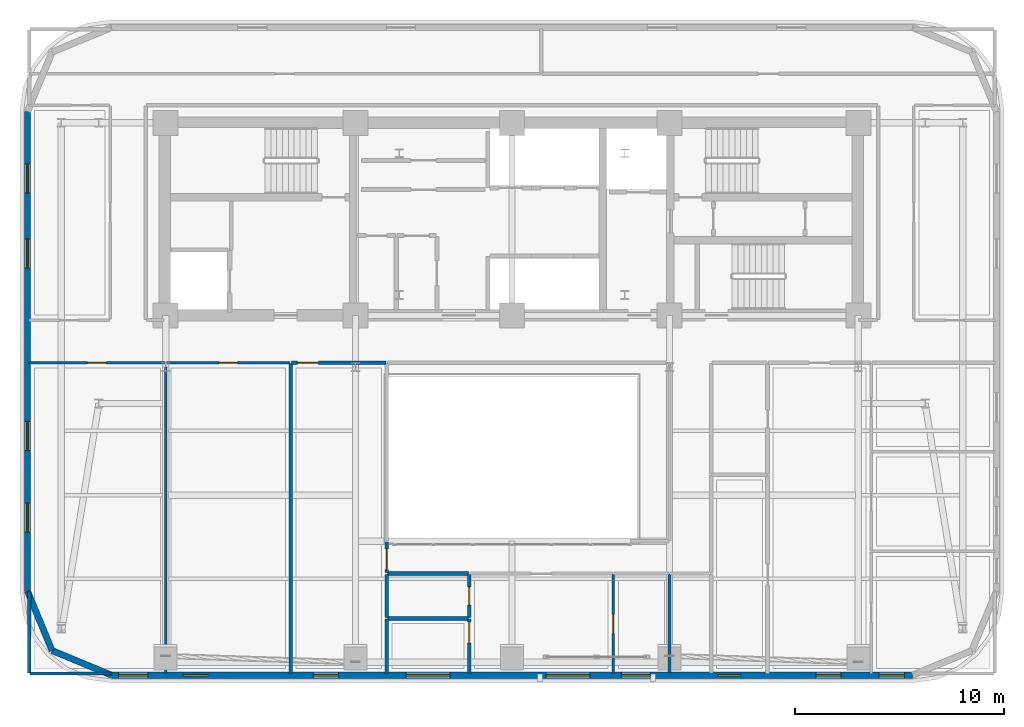
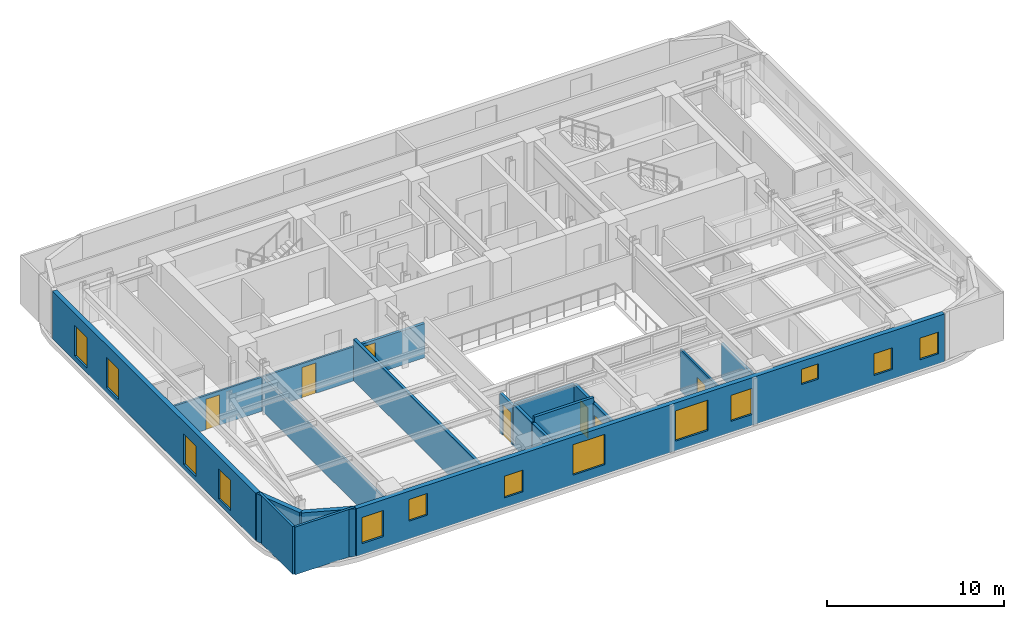
# One storey, part 6 of 13: 20 walls, 13 windows, 7 doors, 20 openings.
"""IFC4 building model written with IfcOpenShell, lengths in metres."""

from ifc_helpers import new_model, si_unit, direction, frame, frame_2d, origin, place, context, subcontext, project, spatial, rectangle, extrude, material, layer, layer_set, type_object, element, fill, save


model = new_model("IFC4")

# Units and contexts
model_context = context("Model", 3, precision=1e-05, world=origin(), true_north=direction((0.0, 1.0)))
body_context = subcontext(model_context, "Body", "Model", "MODEL_VIEW")
ifc_project = project(units=[si_unit("LENGTHUNIT", "METRE"), si_unit("AREAUNIT", "SQUARE_METRE"), si_unit("VOLUMEUNIT", "CUBIC_METRE"), si_unit("PLANEANGLEUNIT", "RADIAN"), si_unit("MASSUNIT", "GRAM", prefix="KILO")], contexts=[model_context])

# Site, building, storey
site_placement = place(None, origin())
site = spatial("IfcSite", under=ifc_project, at=site_placement, CompositionType="ELEMENT")
building_placement = place(site_placement, origin())
building = spatial("IfcBuilding", under=site, at=building_placement, Name="Zarnavel Station Tower", CompositionType="ELEMENT")
storey_placement = place(building_placement, frame((0.0, 0.0, 162.550048828125)))
storey = spatial("IfcBuildingStorey", under=building, at=storey_placement, Name="L44", CompositionType="ELEMENT", Elevation=162.550048828125)

# Wall, openings, windows
ifc_material_1 = material(Name="Precast concrete C45/55 (Dark Basalt Finish)", Category="masonry")
ifc_layer_1 = layer(ifc_material_1, 0.300048828125)
ifc_layer_set_1 = layer_set([ifc_layer_1], Name="EW_BASALT_300")
wall_type_1 = type_object("IfcWallType", Name="EW_BASALT_300", PredefinedType="SOLIDWALL", material=ifc_layer_set_1)
wall_1_placement = place(storey_placement, frame((5.580078125, 14.60009765625, 0.0), z_axis=(0.0, 0.0, 1.0), x_axis=(0.0, 1.0, 0.0)))
wall_1 = element("IfcWall", 1, at=wall_1_placement, inside=storey, type_object=wall_type_1, Name="L44 Exterior Basalt Masonry Frame Wall 09", PredefinedType="SOLIDWALL", context=body_context, shape_type="SweptSolid", body=[
    extrude(rectangle(XDim=23.0, YDim=0.300048828125, at=frame_2d((11.5, 0.0))), origin(), (0.0, 0.0, 1.0), 3.2900390625),
])
opening_1_placement = place(wall_1_placement, frame((15.493408203125, 0.0, 0.340087890625)))
opening_1 = element("IfcOpeningElement", 2, at=opening_1_placement, cuts=wall_1, Name="Opening WN04", PredefinedType="OPENING", context=body_context, shape_type="SweptSolid", body=[
    extrude(rectangle(XDim=1.39990234375, YDim=2.10009765625, at=frame_2d((0.699951171875, 1.050048828125))), frame((0.0, 0.159912109375, 0.0), z_axis=(0.0, -1.0, 0.0), x_axis=(1.0, 0.0, 0.0)), (0.0, 0.0, 1.0), 0.320068359375),
])
opening_2_placement = place(wall_1_placement, frame((19.086669921875, 0.0, 0.340087890625)))
opening_2 = element("IfcOpeningElement", 3, at=opening_2_placement, cuts=wall_1, Name="Opening WN04", PredefinedType="OPENING", context=body_context, shape_type="SweptSolid", body=[
    extrude(rectangle(XDim=1.39990234375, YDim=2.10009765625, at=frame_2d((0.699951171875, 1.050048828125))), frame((0.0, 0.159912109375, 0.0), z_axis=(0.0, -1.0, 0.0), x_axis=(1.0, 0.0, 0.0)), (0.0, 0.0, 1.0), 0.320068359375),
])
opening_3_placement = place(wall_1_placement, frame((2.830078125, 0.0, 0.340087890625)))
opening_3 = element("IfcOpeningElement", 4, at=opening_3_placement, cuts=wall_1, Name="Opening WN04", PredefinedType="OPENING", context=body_context, shape_type="SweptSolid", body=[
    extrude(rectangle(XDim=1.39990234375, YDim=2.10009765625, at=frame_2d((0.699951171875, 1.050048828125))), frame((0.0, 0.159912109375, 0.0), z_axis=(0.0, -1.0, 0.0), x_axis=(1.0, 0.0, 0.0)), (0.0, 0.0, 1.0), 0.320068359375),
])
opening_4_placement = place(wall_1_placement, frame((6.739990234375, 0.0, 0.340087890625)))
opening_4 = element("IfcOpeningElement", 5, at=opening_4_placement, cuts=wall_1, Name="Opening WN04", PredefinedType="OPENING", context=body_context, shape_type="SweptSolid", body=[
    extrude(rectangle(XDim=1.39990234375, YDim=2.10009765625, at=frame_2d((0.699951171875, 1.050048828125))), frame((0.0, 0.159912109375, 0.0), z_axis=(0.0, -1.0, 0.0), x_axis=(1.0, 0.0, 0.0)), (0.0, 0.0, 1.0), 0.320068359375),
])
ifc_material_2 = material(Name="Thermally Broken Black Aluminium and Low-E Dark Glass", Category="aluminium")
window_type_1 = type_object("IfcWindowType", Name="WN_1400x2100", PartitioningType="DOUBLE_PANEL_VERTICAL", PredefinedType="WINDOW", material=ifc_material_2)
window_1_placement = place(opening_1_placement, origin())
window_1 = element("IfcWindow", 6, at=window_1_placement, inside=storey, type_object=window_type_1, Name="L44 Recessed Facade Window 01", OverallHeight=2.10009765625, OverallWidth=1.39990234375, PartitioningType="SINGLE_PANEL", PredefinedType="WINDOW", context=body_context, shape_type="SweptSolid", body=[
    extrude(rectangle(XDim=1.39990234375, YDim=2.10009765625, at=frame_2d((0.699951171875, 1.050048828125))), frame((0.0, 0.030029296875, 0.0), z_axis=(0.0, -1.0, 0.0), x_axis=(1.0, 0.0, 0.0)), (0.0, 0.0, 1.0), 0.06005859375),
])
fill(opening_1, window_1)
window_2_placement = place(opening_2_placement, origin())
window_2 = element("IfcWindow", 7, at=window_2_placement, inside=storey, type_object=window_type_1, Name="L44 Recessed Facade Window 02", OverallHeight=2.10009765625, OverallWidth=1.39990234375, PartitioningType="SINGLE_PANEL", PredefinedType="WINDOW", context=body_context, shape_type="SweptSolid", body=[
    extrude(rectangle(XDim=1.39990234375, YDim=2.10009765625, at=frame_2d((0.699951171875, 1.050048828125))), frame((0.0, 0.030029296875, 0.0), z_axis=(0.0, -1.0, 0.0), x_axis=(1.0, 0.0, 0.0)), (0.0, 0.0, 1.0), 0.06005859375),
])
fill(opening_2, window_2)
window_3_placement = place(opening_3_placement, origin())
window_3 = element("IfcWindow", 8, at=window_3_placement, inside=storey, type_object=window_type_1, Name="L44 Recessed Facade Window 03", OverallHeight=2.10009765625, OverallWidth=1.39990234375, PartitioningType="SINGLE_PANEL", PredefinedType="WINDOW", context=body_context, shape_type="SweptSolid", body=[
    extrude(rectangle(XDim=1.39990234375, YDim=2.10009765625, at=frame_2d((0.699951171875, 1.050048828125))), frame((0.0, 0.030029296875, 0.0), z_axis=(0.0, -1.0, 0.0), x_axis=(1.0, 0.0, 0.0)), (0.0, 0.0, 1.0), 0.06005859375),
])
fill(opening_3, window_3)
window_4_placement = place(opening_4_placement, origin())
window_4 = element("IfcWindow", 9, at=window_4_placement, inside=storey, type_object=window_type_1, Name="L44 Recessed Facade Window 04", OverallHeight=2.10009765625, OverallWidth=1.39990234375, PartitioningType="SINGLE_PANEL", PredefinedType="WINDOW", context=body_context, shape_type="SweptSolid", body=[
    extrude(rectangle(XDim=1.39990234375, YDim=2.10009765625, at=frame_2d((0.699951171875, 1.050048828125))), frame((0.0, 0.030029296875, 0.0), z_axis=(0.0, -1.0, 0.0), x_axis=(1.0, 0.0, 0.0)), (0.0, 0.0, 1.0), 0.06005859375),
])
fill(opening_4, window_4)

# Walls
for number, where, z_axis, x_axis, name in (
    (10, (6.75732421875, 11.75732421875, 0.0), (0.0, 0.0, 1.0), (-0.382608747773, 0.923910464346, 0.0), "L44 Exterior Basalt Masonry Frame Wall 10"),
    (11, (9.60009765625, 10.580078125, 0.0), (0.0, 0.0, 1.0), (-0.923910464346, 0.382608747773, 0.0), "L44 Exterior Basalt Masonry Frame Wall 11"),
):
    element("IfcWall", number, at=place(storey_placement, frame(where, z_axis=z_axis, x_axis=x_axis)), inside=storey, type_object=wall_type_1, Name=name, PredefinedType="SOLIDWALL", context=body_context, shape_type="SweptSolid", body=[
        extrude(rectangle(XDim=3.076904296875, YDim=0.300048828125, at=frame_2d((1.53857421875, 0.0))), origin(), (0.0, 0.0, 1.0), 3.2900390625),
    ])

# Wall, openings, windows
wall_2_placement = place(storey_placement, frame((48.0, 10.580078125, 0.0), z_axis=(0.0, 0.0, 1.0), x_axis=(-1.0, 0.0, 0.0)))
wall_2 = element("IfcWall", 12, at=wall_2_placement, inside=storey, type_object=wall_type_1, Name="L44 Exterior Basalt Masonry Frame Wall 12", PredefinedType="SOLIDWALL", context=body_context, shape_type="SweptSolid", body=[
    extrude(rectangle(XDim=38.39990234375, YDim=0.300048828125, at=frame_2d((19.199951171875, 0.0))), origin(), (0.0, 0.0, 1.0), 3.2900390625),
])
opening_5_placement = place(wall_2_placement, frame((36.65087890625, 0.0, 0.75)))
opening_5 = element("IfcOpeningElement", 13, at=opening_5_placement, cuts=wall_2, Name="Opening WN01", PredefinedType="OPENING", context=body_context, shape_type="SweptSolid", body=[
    extrude(rectangle(XDim=1.39990234375, YDim=1.800048828125, at=frame_2d((0.699951171875, 0.89990234375))), frame((0.0, 0.159912109375, 0.0), z_axis=(0.0, -1.0, 0.0), x_axis=(1.0, 0.0, 0.0)), (0.0, 0.0, 1.0), 0.320068359375),
])
opening_6_placement = place(wall_2_placement, frame((33.7783203125, 0.0, 1.219970703125)))
opening_6 = element("IfcOpeningElement", 14, at=opening_6_placement, cuts=wall_2, Name="Opening WN08", PredefinedType="OPENING", context=body_context, shape_type="SweptSolid", body=[
    extrude(rectangle(XDim=1.199951171875, YDim=1.5, at=frame_2d((0.60009765625, 0.75))), frame((0.0, 0.159912109375, 0.0), z_axis=(0.0, -1.0, 0.0), x_axis=(1.0, 0.0, 0.0)), (0.0, 0.0, 1.0), 0.320068359375),
])
opening_7_placement = place(wall_2_placement, frame((27.521728515625, 0.0, 0.64990234375)))
opening_7 = element("IfcOpeningElement", 15, at=opening_7_placement, cuts=wall_2, Name="Opening WN08", PredefinedType="OPENING", context=body_context, shape_type="SweptSolid", body=[
    extrude(rectangle(XDim=1.199951171875, YDim=1.5, at=frame_2d((0.60009765625, 0.75))), frame((0.0, 0.159912109375, 0.0), z_axis=(0.0, -1.0, 0.0), x_axis=(1.0, 0.0, 0.0)), (0.0, 0.0, 1.0), 0.320068359375),
])
opening_8_placement = place(wall_2_placement, frame((15.464111328125, 0.0, 0.64990234375)))
opening_8 = element("IfcOpeningElement", 16, at=opening_8_placement, cuts=wall_2, Name="Opening WN05", PredefinedType="OPENING", context=body_context, shape_type="SweptSolid", body=[
    extrude(rectangle(XDim=2.10009765625, YDim=2.10009765625, at=frame_2d((1.050048828125, 1.050048828125))), frame((0.0, 0.159912109375, 0.0), z_axis=(0.0, -1.0, 0.0), x_axis=(1.0, 0.0, 0.0)), (0.0, 0.0, 1.0), 0.320068359375),
])
opening_9_placement = place(wall_2_placement, frame((22.175048828125, 0.0, 0.64990234375)))
opening_9 = element("IfcOpeningElement", 17, at=opening_9_placement, cuts=wall_2, Name="Opening WN05", PredefinedType="OPENING", context=body_context, shape_type="SweptSolid", body=[
    extrude(rectangle(XDim=2.10009765625, YDim=2.10009765625, at=frame_2d((1.050048828125, 1.050048828125))), frame((0.0, 0.159912109375, 0.0), z_axis=(0.0, -1.0, 0.0), x_axis=(1.0, 0.0, 0.0)), (0.0, 0.0, 1.0), 0.320068359375),
])
opening_10_placement = place(wall_2_placement, frame((12.560791015625, 0.0, 0.75)))
opening_10 = element("IfcOpeningElement", 18, at=opening_10_placement, cuts=wall_2, Name="Opening WN01", PredefinedType="OPENING", context=body_context, shape_type="SweptSolid", body=[
    extrude(rectangle(XDim=1.39990234375, YDim=1.800048828125, at=frame_2d((0.699951171875, 0.89990234375))), frame((0.0, 0.159912109375, 0.0), z_axis=(0.0, -1.0, 0.0), x_axis=(1.0, 0.0, 0.0)), (0.0, 0.0, 1.0), 0.320068359375),
])
opening_11_placement = place(wall_2_placement, frame((3.421875, 0.0, 0.64990234375)))
opening_11 = element("IfcOpeningElement", 19, at=opening_11_placement, cuts=wall_2, Name="Opening WN08", PredefinedType="OPENING", context=body_context, shape_type="SweptSolid", body=[
    extrude(rectangle(XDim=1.199951171875, YDim=1.5, at=frame_2d((0.60009765625, 0.75))), frame((0.0, 0.159912109375, 0.0), z_axis=(0.0, -1.0, 0.0), x_axis=(1.0, 0.0, 0.0)), (0.0, 0.0, 1.0), 0.320068359375),
])
opening_12_placement = place(wall_2_placement, frame((8.25, 0.0, 1.679931640625)))
opening_12 = element("IfcOpeningElement", 20, at=opening_12_placement, cuts=wall_2, Name="Opening WN09", PredefinedType="OPENING", context=body_context, shape_type="SweptSolid", body=[
    extrude(rectangle(XDim=1.10009765625, YDim=1.050048828125, at=frame_2d((0.550048828125, 0.52490234375))), frame((0.0, 0.159912109375, 0.0), z_axis=(0.0, -1.0, 0.0), x_axis=(1.0, 0.0, 0.0)), (0.0, 0.0, 1.0), 0.320068359375),
])
opening_13_placement = place(wall_2_placement, frame((0.39990234375, 0.0, 0.679931640625)))
opening_13 = element("IfcOpeningElement", 21, at=opening_13_placement, cuts=wall_2, Name="Opening WN08", PredefinedType="OPENING", context=body_context, shape_type="SweptSolid", body=[
    extrude(rectangle(XDim=1.199951171875, YDim=1.5, at=frame_2d((0.60009765625, 0.75))), frame((0.0, 0.159912109375, 0.0), z_axis=(0.0, -1.0, 0.0), x_axis=(1.0, 0.0, 0.0)), (0.0, 0.0, 1.0), 0.320068359375),
])
ifc_material_3 = material(Name="Thermally Broken Black Aluminium and Low-E Dark Glass", Category="aluminium")
window_type_2 = type_object("IfcWindowType", Name="WN_1100x1050", PartitioningType="SINGLE_PANEL", PredefinedType="WINDOW", material=ifc_material_3)
window_5_placement = place(opening_12_placement, origin())
window_5 = element("IfcWindow", 22, at=window_5_placement, inside=storey, type_object=window_type_2, Name="L44 Recessed Facade Window 08", OverallHeight=1.050048828125, OverallWidth=1.10009765625, PartitioningType="SINGLE_PANEL", PredefinedType="WINDOW", context=body_context, shape_type="SweptSolid", body=[
    extrude(rectangle(XDim=1.10009765625, YDim=1.050048828125, at=frame_2d((0.550048828125, 0.52490234375))), frame((0.0, 0.030029296875, 0.0), z_axis=(0.0, -1.0, 0.0), x_axis=(1.0, 0.0, 0.0)), (0.0, 0.0, 1.0), 0.06005859375),
])
fill(opening_12, window_5)
ifc_material_4 = material(Name="Thermally Broken Black Aluminium and Low-E Dark Glass", Category="aluminium")
window_type_3 = type_object("IfcWindowType", Name="WN_1200x1500", PartitioningType="SINGLE_PANEL", PredefinedType="WINDOW", material=ifc_material_4)
window_6_placement = place(opening_6_placement, origin())
window_6 = element("IfcWindow", 23, at=window_6_placement, inside=storey, type_object=window_type_3, Name="L44 Recessed Facade Window 02", OverallHeight=1.5, OverallWidth=1.199951171875, PartitioningType="SINGLE_PANEL", PredefinedType="WINDOW", context=body_context, shape_type="SweptSolid", body=[
    extrude(rectangle(XDim=1.199951171875, YDim=1.5, at=frame_2d((0.60009765625, 0.75))), frame((0.0, 0.030029296875, 0.0), z_axis=(0.0, -1.0, 0.0), x_axis=(1.0, 0.0, 0.0)), (0.0, 0.0, 1.0), 0.06005859375),
])
fill(opening_6, window_6)
window_7_placement = place(opening_7_placement, origin())
window_7 = element("IfcWindow", 24, at=window_7_placement, inside=storey, type_object=window_type_3, Name="L44 Recessed Facade Window 03", OverallHeight=1.5, OverallWidth=1.199951171875, PartitioningType="SINGLE_PANEL", PredefinedType="WINDOW", context=body_context, shape_type="SweptSolid", body=[
    extrude(rectangle(XDim=1.199951171875, YDim=1.5, at=frame_2d((0.60009765625, 0.75))), frame((0.0, 0.030029296875, 0.0), z_axis=(0.0, -1.0, 0.0), x_axis=(1.0, 0.0, 0.0)), (0.0, 0.0, 1.0), 0.06005859375),
])
fill(opening_7, window_7)
window_8_placement = place(opening_11_placement, origin())
window_8 = element("IfcWindow", 25, at=window_8_placement, inside=storey, type_object=window_type_3, Name="L44 Recessed Facade Window 07", OverallHeight=1.5, OverallWidth=1.199951171875, PartitioningType="SINGLE_PANEL", PredefinedType="WINDOW", context=body_context, shape_type="SweptSolid", body=[
    extrude(rectangle(XDim=1.199951171875, YDim=1.5, at=frame_2d((0.60009765625, 0.75))), frame((0.0, 0.030029296875, 0.0), z_axis=(0.0, -1.0, 0.0), x_axis=(1.0, 0.0, 0.0)), (0.0, 0.0, 1.0), 0.06005859375),
])
fill(opening_11, window_8)
window_9_placement = place(opening_13_placement, origin())
window_9 = element("IfcWindow", 26, at=window_9_placement, inside=storey, type_object=window_type_3, Name="L44 Recessed Facade Window 09", OverallHeight=1.5, OverallWidth=1.199951171875, PartitioningType="SINGLE_PANEL", PredefinedType="WINDOW", context=body_context, shape_type="SweptSolid", body=[
    extrude(rectangle(XDim=1.199951171875, YDim=1.5, at=frame_2d((0.60009765625, 0.75))), frame((0.0, 0.030029296875, 0.0), z_axis=(0.0, -1.0, 0.0), x_axis=(1.0, 0.0, 0.0)), (0.0, 0.0, 1.0), 0.06005859375),
])
fill(opening_13, window_9)
ifc_material_5 = material(Name="Thermally Broken Black Aluminium and Low-E Dark Glass", Category="aluminium")
window_type_4 = type_object("IfcWindowType", Name="WN_1400x1800", PartitioningType="DOUBLE_PANEL_VERTICAL", PredefinedType="WINDOW", material=ifc_material_5)
window_10_placement = place(opening_5_placement, origin())
window_10 = element("IfcWindow", 27, at=window_10_placement, inside=storey, type_object=window_type_4, Name="L44 Recessed Facade Window 01", OverallHeight=1.800048828125, OverallWidth=1.39990234375, PartitioningType="SINGLE_PANEL", PredefinedType="WINDOW", context=body_context, shape_type="SweptSolid", body=[
    extrude(rectangle(XDim=1.39990234375, YDim=1.800048828125, at=frame_2d((0.699951171875, 0.89990234375))), frame((0.0, 0.030029296875, 0.0), z_axis=(0.0, -1.0, 0.0), x_axis=(1.0, 0.0, 0.0)), (0.0, 0.0, 1.0), 0.06005859375),
])
fill(opening_5, window_10)
window_11_placement = place(opening_10_placement, origin())
window_11 = element("IfcWindow", 28, at=window_11_placement, inside=storey, type_object=window_type_4, Name="L44 Recessed Facade Window 06", OverallHeight=1.800048828125, OverallWidth=1.39990234375, PartitioningType="SINGLE_PANEL", PredefinedType="WINDOW", context=body_context, shape_type="SweptSolid", body=[
    extrude(rectangle(XDim=1.39990234375, YDim=1.800048828125, at=frame_2d((0.699951171875, 0.89990234375))), frame((0.0, 0.030029296875, 0.0), z_axis=(0.0, -1.0, 0.0), x_axis=(1.0, 0.0, 0.0)), (0.0, 0.0, 1.0), 0.06005859375),
])
fill(opening_10, window_11)
ifc_material_6 = material(Name="Thermally Broken Black Aluminium and Low-E Dark Glass", Category="aluminium")
window_type_5 = type_object("IfcWindowType", Name="WN_2100x2100", PartitioningType="TRIPLE_PANEL_VERTICAL", PredefinedType="WINDOW", material=ifc_material_6)
window_12_placement = place(opening_8_placement, origin())
window_12 = element("IfcWindow", 29, at=window_12_placement, inside=storey, type_object=window_type_5, Name="L44 Recessed Facade Window 04", OverallHeight=2.10009765625, OverallWidth=2.10009765625, PartitioningType="SINGLE_PANEL", PredefinedType="WINDOW", context=body_context, shape_type="SweptSolid", body=[
    extrude(rectangle(XDim=2.10009765625, YDim=2.10009765625, at=frame_2d((1.050048828125, 1.050048828125))), frame((0.0, 0.030029296875, 0.0), z_axis=(0.0, -1.0, 0.0), x_axis=(1.0, 0.0, 0.0)), (0.0, 0.0, 1.0), 0.06005859375),
])
fill(opening_8, window_12)
window_13_placement = place(opening_9_placement, origin())
window_13 = element("IfcWindow", 30, at=window_13_placement, inside=storey, type_object=window_type_5, Name="L44 Recessed Facade Window 05", OverallHeight=2.10009765625, OverallWidth=2.10009765625, PartitioningType="SINGLE_PANEL", PredefinedType="WINDOW", context=body_context, shape_type="SweptSolid", body=[
    extrude(rectangle(XDim=2.10009765625, YDim=2.10009765625, at=frame_2d((1.050048828125, 1.050048828125))), frame((0.0, 0.030029296875, 0.0), z_axis=(0.0, -1.0, 0.0), x_axis=(1.0, 0.0, 0.0)), (0.0, 0.0, 1.0), 0.06005859375),
])
fill(opening_9, window_13)

# Walls
ifc_material_7 = material(Name="Gypsum Twin-Stud Acoustic Fire Partition", Category="concrete")
ifc_layer_2 = layer(ifc_material_7, 0.159912109375)
ifc_layer_set_2 = layer_set([ifc_layer_2], Name="PT_DEMISE_160")
wall_type_2 = type_object("IfcWallType", Name="PT_DEMISE_160", PredefinedType="PARTITIONING", material=ifc_layer_set_2)
for number, where, z_axis, x_axis, name in (
    (31, (5.68994140625, 10.659912109375, 0.0), (0.0, 0.0, 1.0), (1.0, 0.0, 0.0), "L44 Enclosure Wall L43GAL"),
    (32, (5.659912109375, 10.68994140625, 0.0), (0.0, 0.0, 1.0), (0.0, 1.0, 0.0), "L44 Enclosure Wall L43GAL"),
):
    element("IfcWall", number, at=place(storey_placement, frame(where, z_axis=z_axis, x_axis=x_axis)), inside=storey, type_object=wall_type_2, Name=name, PredefinedType="PARTITIONING", context=body_context, shape_type="SweptSolid", body=[
        extrude(rectangle(XDim=3.880126953125, YDim=0.159912109375, at=frame_2d((1.93994140625, 0.0))), origin(), (0.0, 0.0, 1.0), 3.2900390625),
    ])
wall_3_placement = place(storey_placement, frame((36.35009765625, 10.68994140625, 0.0), z_axis=(0.0, 0.0, 1.0), x_axis=(0.0, 1.0, 0.0)))
element("IfcWall", 33, at=wall_3_placement, inside=storey, type_object=wall_type_2, Name="L44 Enclosure Wall US1B1", PredefinedType="PARTITIONING", context=body_context, shape_type="SweptSolid", body=[
    extrude(rectangle(XDim=4.72998046875, YDim=0.159912109375, at=frame_2d((2.364990234375, 0.0))), origin(), (0.0, 0.0, 1.0), 2.35986328125),
])

# Wall, opening, door
ifc_material_8 = material(Name="Gypsum Metal-Stud Interior Partition", Category="concrete")
ifc_layer_3 = layer(ifc_material_8, 0.1201171875)
ifc_layer_set_3 = layer_set([ifc_layer_3], Name="PT_ROOM_120")
wall_type_3 = type_object("IfcWallType", Name="PT_ROOM_120", PredefinedType="PARTITIONING", material=ifc_layer_set_3)
wall_4_placement = place(storey_placement, frame((5.659912109375, 25.550048828125, 0.0), z_axis=(0.0, 0.0, 1.0), x_axis=(1.0, 0.0, 0.0)))
wall_4 = element("IfcWall", 34, at=wall_4_placement, inside=storey, type_object=wall_type_3, Name="L44 Partition COR-S-L43GAL", PredefinedType="PARTITIONING", context=body_context, shape_type="SweptSolid", body=[
    extrude(rectangle(XDim=6.5, YDim=0.1201171875, at=frame_2d((3.25, 0.0))), origin(), (0.0, 0.0, 1.0), 2.35986328125),
])
opening_14_placement = place(wall_4_placement, frame((2.800048828125, 0.0, 0.0)))
opening_14 = element("IfcOpeningElement", 35, at=opening_14_placement, cuts=wall_4, Name="Opening ID01", PredefinedType="OPENING", context=body_context, shape_type="SweptSolid", body=[
    extrude(rectangle(XDim=0.89990234375, YDim=2.10009765625, at=frame_2d((0.449951171875, 1.050048828125))), frame((0.0, 0.070068359375, 0.0), z_axis=(0.0, -1.0, 0.0), x_axis=(1.0, 0.0, 0.0)), (0.0, 0.0, 1.0), 0.14013671875),
])
ifc_material_9 = material(Name="Painted Galvanised Steel and Hardwood Leaf", Category="steel")
door_type_1 = type_object("IfcDoorType", Name="ID_ROOM_900", OperationType="NOTDEFINED", PredefinedType="DOOR", material=ifc_material_9)
door_1_placement = place(opening_14_placement, origin())
door_1 = element("IfcDoor", 36, at=door_1_placement, inside=storey, type_object=door_type_1, Name="L44 Door COR-S-L43GAL", OperationType="SINGLE_SWING_LEFT", OverallHeight=2.10009765625, OverallWidth=0.89990234375, PredefinedType="DOOR", context=body_context, shape_type="SweptSolid", body=[
    extrude(rectangle(XDim=0.89990234375, YDim=2.10009765625, at=frame_2d((0.449951171875, 1.050048828125))), frame((0.0, 0.02490234375, 0.0), z_axis=(0.0, -1.0, 0.0), x_axis=(1.0, 0.0, 0.0)), (0.0, 0.0, 1.0), 0.050048828125),
])
fill(opening_14, door_1)

wall_5_placement = place(storey_placement, frame((12.239990234375, 25.550048828125, 0.0), z_axis=(0.0, 0.0, 1.0), x_axis=(1.0, 0.0, 0.0)))
wall_5 = element("IfcWall", 37, at=wall_5_placement, inside=storey, type_object=wall_type_3, Name="L44 Partition COR-S-L43FOY", PredefinedType="PARTITIONING", context=body_context, shape_type="SweptSolid", body=[
    extrude(rectangle(XDim=5.919921875, YDim=0.1201171875, at=frame_2d((2.9599609375, 0.0))), origin(), (0.0, 0.0, 1.0), 2.35986328125),
])
opening_15_placement = place(wall_5_placement, frame((2.510009765625, 0.0, 0.0)))
opening_15 = element("IfcOpeningElement", 38, at=opening_15_placement, cuts=wall_5, Name="Opening ID01", PredefinedType="OPENING", context=body_context, shape_type="SweptSolid", body=[
    extrude(rectangle(XDim=0.89990234375, YDim=2.10009765625, at=frame_2d((0.449951171875, 1.050048828125))), frame((0.0, 0.070068359375, 0.0), z_axis=(0.0, -1.0, 0.0), x_axis=(1.0, 0.0, 0.0)), (0.0, 0.0, 1.0), 0.14013671875),
])
door_2_placement = place(opening_15_placement, origin())
door_2 = element("IfcDoor", 39, at=door_2_placement, inside=storey, type_object=door_type_1, Name="L44 Door COR-S-L43FOY", OperationType="SINGLE_SWING_RIGHT", OverallHeight=2.10009765625, OverallWidth=0.89990234375, PredefinedType="DOOR", context=body_context, shape_type="SweptSolid", body=[
    extrude(rectangle(XDim=0.89990234375, YDim=2.10009765625, at=frame_2d((0.449951171875, 1.050048828125))), frame((0.0, 0.02490234375, 0.0), z_axis=(0.0, -1.0, 0.0), x_axis=(1.0, 0.0, 0.0)), (0.0, 0.0, 1.0), 0.050048828125),
])
fill(opening_15, door_2)

# Wall
wall_6_placement = place(storey_placement, frame((12.199951171875, 10.659912109375, 0.0), z_axis=(0.0, 0.0, 1.0), x_axis=(0.0, 1.0, 0.0)))
element("IfcWall", 40, at=wall_6_placement, inside=storey, type_object=wall_type_3, Name="L44 Partition L43GAL-L43FOY", PredefinedType="PARTITIONING", context=body_context, shape_type="SweptSolid", body=[
    extrude(rectangle(XDim=14.85009765625, YDim=0.1201171875, at=frame_2d((7.425048828125, 0.0))), origin(), (0.0, 0.0, 1.0), 2.35986328125),
])

# Wall, opening, door
wall_7_placement = place(storey_placement, frame((33.64990234375, 10.659912109375, 0.0), z_axis=(0.0, 0.0, 1.0), x_axis=(0.0, 1.0, 0.0)))
wall_7 = element("IfcWall", 41, at=wall_7_placement, inside=storey, type_object=wall_type_3, Name="L44 Partition US1LV-US1B1", PredefinedType="PARTITIONING", context=body_context, shape_type="SweptSolid", body=[
    extrude(rectangle(XDim=4.75, YDim=0.1201171875, at=frame_2d((2.375, 0.0))), origin(), (0.0, 0.0, 1.0), 2.909912109375),
])
opening_16_placement = place(wall_7_placement, frame((1.925048828125, 0.0, 0.0)))
opening_16 = element("IfcOpeningElement", 42, at=opening_16_placement, cuts=wall_7, Name="Opening ID01", PredefinedType="OPENING", context=body_context, shape_type="SweptSolid", body=[
    extrude(rectangle(XDim=0.89990234375, YDim=2.10009765625, at=frame_2d((0.449951171875, 1.050048828125))), frame((0.0, 0.070068359375, 0.0), z_axis=(0.0, -1.0, 0.0), x_axis=(1.0, 0.0, 0.0)), (0.0, 0.0, 1.0), 0.14013671875),
])
door_3_placement = place(opening_16_placement, origin())
door_3 = element("IfcDoor", 43, at=door_3_placement, inside=storey, type_object=door_type_1, Name="L44 Door US1LV-US1B1", OperationType="SINGLE_SWING_LEFT", OverallHeight=2.10009765625, OverallWidth=0.89990234375, PredefinedType="DOOR", context=body_context, shape_type="SweptSolid", body=[
    extrude(rectangle(XDim=0.89990234375, YDim=2.10009765625, at=frame_2d((0.449951171875, 1.050048828125))), frame((0.0, 0.02490234375, 0.0), z_axis=(0.0, -1.0, 0.0), x_axis=(1.0, 0.0, 0.0)), (0.0, 0.0, 1.0), 0.050048828125),
])
fill(opening_16, door_3)

ifc_material_10 = material(Name="Moisture-Resistant Plumbing Chase Wall", Category="concrete")
ifc_layer_4 = layer(ifc_material_10, 0.179931640625)
ifc_layer_set_4 = layer_set([ifc_layer_4], Name="PW_PLUMB_180")
wall_type_4 = type_object("IfcWallType", Name="PW_PLUMB_180", PredefinedType="PLUMBINGWALL", material=ifc_layer_set_4)
wall_8_placement = place(storey_placement, frame((18.239990234375, 25.550048828125, 0.0), z_axis=(0.0, 0.0, 1.0), x_axis=(1.0, 0.0, 0.0)))
wall_8 = element("IfcWall", 44, at=wall_8_placement, inside=storey, type_object=wall_type_4, Name="L44 Partition COR-S-L43KIT", PredefinedType="PLUMBINGWALL", context=body_context, shape_type="SweptSolid", body=[
    extrude(rectangle(XDim=4.52001953125, YDim=0.179931640625, at=frame_2d((2.260009765625, 0.0))), origin(), (0.0, 0.0, 1.0), 2.35986328125),
])
opening_17_placement = place(wall_8_placement, frame((0.27490234375, 0.0, 0.0)))
opening_17 = element("IfcOpeningElement", 45, at=opening_17_placement, cuts=wall_8, Name="Opening FD02", PredefinedType="OPENING", context=body_context, shape_type="SweptSolid", body=[
    extrude(rectangle(XDim=1.0, YDim=2.14990234375, at=frame_2d((0.5, 1.074951171875))), frame((0.0, 0.099853515625, 0.0), z_axis=(0.0, -1.0, 0.0), x_axis=(1.0, 0.0, 0.0)), (0.0, 0.0, 1.0), 0.199951171875),
])
ifc_material_11 = material(Name="Painted Galvanised Steel and Hardwood Leaf", Category="steel")
door_type_2 = type_object("IfcDoorType", Name="ID_ENTRY_1000", OperationType="NOTDEFINED", PredefinedType="DOOR", material=ifc_material_11)
door_4_placement = place(opening_17_placement, origin())
door_4 = element("IfcDoor", 46, at=door_4_placement, inside=storey, type_object=door_type_2, Name="L44 Door COR-S-L43KIT", OperationType="SINGLE_SWING_LEFT", OverallHeight=2.14990234375, OverallWidth=1.0, PredefinedType="DOOR", context=body_context, shape_type="SweptSolid", body=[
    extrude(rectangle(XDim=1.0, YDim=2.14990234375, at=frame_2d((0.5, 1.074951171875))), frame((0.0, 0.02490234375, 0.0), z_axis=(0.0, -1.0, 0.0), x_axis=(1.0, 0.0, 0.0)), (0.0, 0.0, 1.0), 0.050048828125),
])
fill(opening_17, door_4)

wall_9_placement = place(storey_placement, frame((22.800048828125, 15.489990234375, 0.0), z_axis=(0.0, 0.0, 1.0), x_axis=(0.0, 1.0, 0.0)))
wall_9 = element("IfcWall", 47, at=wall_9_placement, inside=storey, type_object=wall_type_4, Name="L44 Partition COR-AS-L43KIT", PredefinedType="PLUMBINGWALL", context=body_context, shape_type="SweptSolid", body=[
    extrude(rectangle(XDim=1.469970703125, YDim=0.179931640625, at=frame_2d((0.73486328125, 0.0))), origin(), (0.0, 0.0, 1.0), 2.72998046875),
])
opening_18_placement = place(wall_9_placement, frame((0.14794921875, 0.0, 0.0)))
opening_18 = element("IfcOpeningElement", 48, at=opening_18_placement, cuts=wall_9, Name="Opening FD02", PredefinedType="OPENING", context=body_context, shape_type="SweptSolid", body=[
    extrude(rectangle(XDim=1.0, YDim=2.14990234375, at=frame_2d((0.5, 1.074951171875))), frame((0.0, 0.099853515625, 0.0), z_axis=(0.0, -1.0, 0.0), x_axis=(1.0, 0.0, 0.0)), (0.0, 0.0, 1.0), 0.199951171875),
])
door_5_placement = place(opening_18_placement, origin())
door_5 = element("IfcDoor", 49, at=door_5_placement, inside=storey, type_object=door_type_2, Name="L44 Door COR-AS-L43KIT", OperationType="SINGLE_SWING_LEFT", OverallHeight=2.14990234375, OverallWidth=1.0, PredefinedType="DOOR", context=body_context, shape_type="SweptSolid", body=[
    extrude(rectangle(XDim=1.0, YDim=2.14990234375, at=frame_2d((0.5, 1.074951171875))), frame((0.0, 0.02490234375, 0.0), z_axis=(0.0, -1.0, 0.0), x_axis=(1.0, 0.0, 0.0)), (0.0, 0.0, 1.0), 0.050048828125),
])
fill(opening_18, door_5)

# Walls
wall_10_placement = place(storey_placement, frame((22.840087890625, 15.449951171875, 0.0), z_axis=(0.0, 0.0, 1.0), x_axis=(1.0, 0.0, 0.0)))
element("IfcWall", 50, at=wall_10_placement, inside=storey, type_object=wall_type_4, Name="L44 Partition COR-AS-US1BA", PredefinedType="PLUMBINGWALL", context=body_context, shape_type="SweptSolid", body=[
    extrude(rectangle(XDim=3.869873046875, YDim=0.179931640625, at=frame_2d((1.93505859375, 0.0))), origin(), (0.0, 0.0, 1.0), 2.909912109375),
])
wall_11_placement = place(storey_placement, frame((18.199951171875, 10.659912109375, 0.0), z_axis=(0.0, 0.0, 1.0), x_axis=(0.0, 1.0, 0.0)))
element("IfcWall", 51, at=wall_11_placement, inside=storey, type_object=wall_type_4, Name="L44 Partition L43FOY-L43KIT", PredefinedType="PLUMBINGWALL", context=body_context, shape_type="SweptSolid", body=[
    extrude(rectangle(XDim=14.85009765625, YDim=0.179931640625, at=frame_2d((7.425048828125, 0.0))), origin(), (0.0, 0.0, 1.0), 2.869873046875),
])
wall_12_placement = place(storey_placement, frame((22.800048828125, 10.659912109375, 0.0), z_axis=(0.0, 0.0, 1.0), x_axis=(0.0, 1.0, 0.0)))
element("IfcWall", 52, at=wall_12_placement, inside=storey, type_object=wall_type_4, Name="L44 Partition L43KIT-US1KT", PredefinedType="PLUMBINGWALL", context=body_context, shape_type="SweptSolid", body=[
    extrude(rectangle(XDim=2.60009765625, YDim=0.179931640625, at=frame_2d((1.300048828125, 0.0))), origin(), (0.0, 0.0, 1.0), 2.909912109375),
])
wall_13_placement = place(storey_placement, frame((22.800048828125, 13.340087890625, 0.0), z_axis=(0.0, 0.0, 1.0), x_axis=(0.0, 1.0, 0.0)))
element("IfcWall", 53, at=wall_13_placement, inside=storey, type_object=wall_type_4, Name="L44 Partition L43KIT-US1BA", PredefinedType="PLUMBINGWALL", context=body_context, shape_type="SweptSolid", body=[
    extrude(rectangle(XDim=2.06982421875, YDim=0.179931640625, at=frame_2d((1.034912109375, 0.0))), origin(), (0.0, 0.0, 1.0), 2.909912109375),
])

# Wall, opening, door
wall_14_placement = place(storey_placement, frame((26.75, 10.659912109375, 0.0), z_axis=(0.0, 0.0, 1.0), x_axis=(0.0, 1.0, 0.0)))
wall_14 = element("IfcWall", 54, at=wall_14_placement, inside=storey, type_object=wall_type_4, Name="L44 Partition US1LV-US1KT", PredefinedType="PLUMBINGWALL", context=body_context, shape_type="SweptSolid", body=[
    extrude(rectangle(XDim=2.60009765625, YDim=0.179931640625, at=frame_2d((1.300048828125, 0.0))), origin(), (0.0, 0.0, 1.0), 2.909912109375),
])
opening_19_placement = place(wall_14_placement, frame((1.4599609375, 0.0, 0.0)))
opening_19 = element("IfcOpeningElement", 55, at=opening_19_placement, cuts=wall_14, Name="Opening FD02", PredefinedType="OPENING", context=body_context, shape_type="SweptSolid", body=[
    extrude(rectangle(XDim=1.0, YDim=2.14990234375, at=frame_2d((0.5, 1.074951171875))), frame((0.0, 0.099853515625, 0.0), z_axis=(0.0, -1.0, 0.0), x_axis=(1.0, 0.0, 0.0)), (0.0, 0.0, 1.0), 0.199951171875),
])
door_6_placement = place(opening_19_placement, origin())
door_6 = element("IfcDoor", 56, at=door_6_placement, inside=storey, type_object=door_type_2, Name="L44 Door US1LV-US1KT", OperationType="SINGLE_SWING_LEFT", OverallHeight=2.14990234375, OverallWidth=1.0, PredefinedType="DOOR", context=body_context, shape_type="SweptSolid", body=[
    extrude(rectangle(XDim=1.0, YDim=2.14990234375, at=frame_2d((0.5, 1.074951171875))), frame((0.0, 0.02490234375, 0.0), z_axis=(0.0, -1.0, 0.0), x_axis=(1.0, 0.0, 0.0)), (0.0, 0.0, 1.0), 0.050048828125),
])
fill(opening_19, door_6)

wall_15_placement = place(storey_placement, frame((26.75, 13.340087890625, 0.0), z_axis=(0.0, 0.0, 1.0), x_axis=(0.0, 1.0, 0.0)))
wall_15 = element("IfcWall", 57, at=wall_15_placement, inside=storey, type_object=wall_type_4, Name="L44 Partition US1LV-US1BA", PredefinedType="PLUMBINGWALL", context=body_context, shape_type="SweptSolid", body=[
    extrude(rectangle(XDim=2.06982421875, YDim=0.179931640625, at=frame_2d((1.034912109375, 0.0))), origin(), (0.0, 0.0, 1.0), 2.909912109375),
])
opening_20_placement = place(wall_15_placement, frame((0.610107421875, 0.0, 0.0)))
opening_20 = element("IfcOpeningElement", 58, at=opening_20_placement, cuts=wall_15, Name="Opening ID02", PredefinedType="OPENING", context=body_context, shape_type="SweptSolid", body=[
    extrude(rectangle(XDim=0.85009765625, YDim=2.10009765625, at=frame_2d((0.425048828125, 1.050048828125))), frame((0.0, 0.099853515625, 0.0), z_axis=(0.0, -1.0, 0.0), x_axis=(1.0, 0.0, 0.0)), (0.0, 0.0, 1.0), 0.199951171875),
])
ifc_material_12 = material(Name="Painted Galvanised Steel and Hardwood Leaf", Category="steel")
door_type_3 = type_object("IfcDoorType", Name="ID_BATH_850", OperationType="NOTDEFINED", PredefinedType="DOOR", material=ifc_material_12)
door_7_placement = place(opening_20_placement, origin())
door_7 = element("IfcDoor", 59, at=door_7_placement, inside=storey, type_object=door_type_3, Name="L44 Door US1LV-US1BA", OperationType="SINGLE_SWING_RIGHT", OverallHeight=2.10009765625, OverallWidth=0.85009765625, PredefinedType="DOOR", context=body_context, shape_type="SweptSolid", body=[
    extrude(rectangle(XDim=0.85009765625, YDim=2.10009765625, at=frame_2d((0.425048828125, 1.050048828125))), frame((0.0, 0.02490234375, 0.0), z_axis=(0.0, -1.0, 0.0), x_axis=(1.0, 0.0, 0.0)), (0.0, 0.0, 1.0), 0.050048828125),
])
fill(opening_20, door_7)

# Wall
wall_16_placement = place(storey_placement, frame((22.840087890625, 13.300048828125, 0.0), z_axis=(0.0, 0.0, 1.0), x_axis=(1.0, 0.0, 0.0)))
element("IfcWall", 60, at=wall_16_placement, inside=storey, type_object=wall_type_4, Name="L44 Partition US1KT-US1BA", PredefinedType="PLUMBINGWALL", context=body_context, shape_type="SweptSolid", body=[
    extrude(rectangle(XDim=3.869873046875, YDim=0.179931640625, at=frame_2d((1.93505859375, 0.0))), origin(), (0.0, 0.0, 1.0), 3.2900390625),
])

save(model, "model.ifc")
